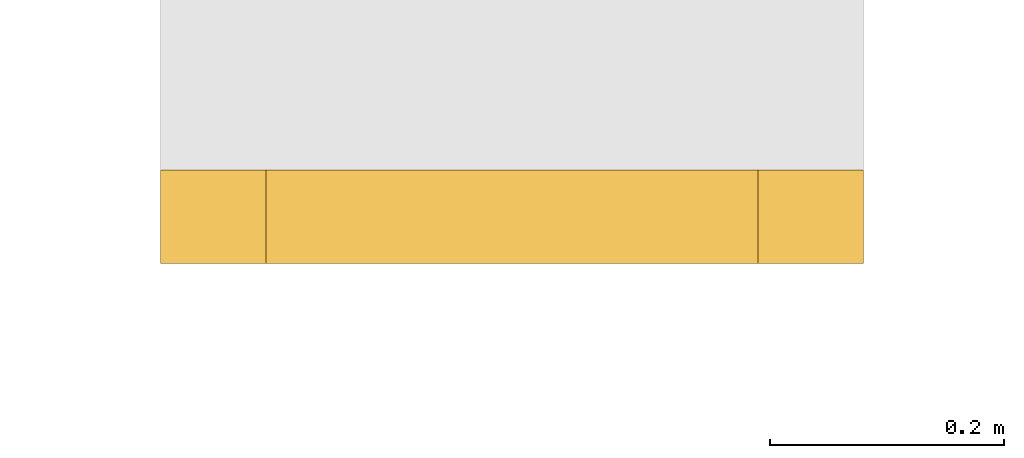
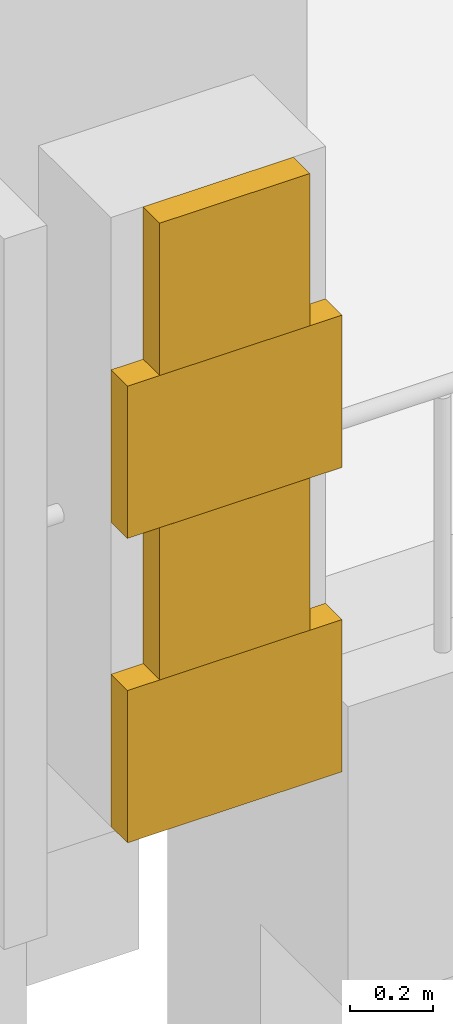
# One storey, part 63 of 67: 4 coverings.
"""IFC4 building model written with IfcOpenShell, lengths in metres."""

from ifc_helpers import new_model, si_unit, direction, frame, origin, place, context, subcontext, project, spatial, polyline, outline, extrude, material, layer, layer_set, type_object, element, save


model = new_model("IFC4")

# Units and contexts
model_context = context("Model", 3, precision=1e-05, world=origin(), true_north=direction((0.0, 1.0)))
body_context = subcontext(model_context, "Body", "Model", "MODEL_VIEW")
ifc_project = project(units=[si_unit("LENGTHUNIT", "METRE"), si_unit("AREAUNIT", "SQUARE_METRE"), si_unit("VOLUMEUNIT", "CUBIC_METRE"), si_unit("PLANEANGLEUNIT", "RADIAN"), si_unit("MASSUNIT", "GRAM", prefix="KILO")], contexts=[model_context])

# Site, building, storey
site_placement = place(None, origin())
site = spatial("IfcSite", under=ifc_project, at=site_placement, CompositionType="ELEMENT")
building_placement = place(site_placement, origin())
building = spatial("IfcBuilding", under=site, at=building_placement, Name="Cour d'Honneur Mobility Palace", CompositionType="ELEMENT")
storey_placement = place(building_placement, frame((0.0, 0.0, 4.5)))
storey = spatial("IfcBuildingStorey", under=building, at=storey_placement, Name="L01", CompositionType="ELEMENT", Elevation=4.5)

# Coverings
ifc_material = material(Name="Cast limestone", Category="masonry")
ifc_layer = layer(ifc_material, 0.080078125)
ifc_layer_set = layer_set([ifc_layer], Name="Cast limestone")
covering_type = type_object("IfcCoveringType", Name="Quoin block", PredefinedType="CLADDING", material=ifc_layer_set)
covering_1_placement = place(storey_placement, frame((0.0, 0.0, 0.300048828125)))
element("IfcCovering", 1, at=covering_1_placement, inside=storey, type_object=covering_type, Name="Quoin block QN-1", PredefinedType="CLADDING", context=body_context, shape_type="SweptSolid", body=[
    extrude(outline(polyline([(8.39990234375, -0.800048828125), (9.0, -0.800048828125), (9.0, -0.8798828125), (8.39990234375, -0.8798828125), (8.39990234375, -0.800048828125)])), origin(), (0.0, 0.0, 1.0), 0.449951171875),
])
covering_2_placement = place(storey_placement, frame((0.0, 0.0, 0.75)))
element("IfcCovering", 2, at=covering_2_placement, inside=storey, type_object=covering_type, Name="Quoin block QN-2", PredefinedType="CLADDING", context=body_context, shape_type="SweptSolid", body=[
    extrude(outline(polyline([(8.489990234375, -0.800048828125), (8.909912109375, -0.800048828125), (8.909912109375, -0.8798828125), (8.489990234375, -0.8798828125), (8.489990234375, -0.800048828125)])), origin(), (0.0, 0.0, 1.0), 0.449951171875),
])
covering_3_placement = place(storey_placement, frame((0.0, 0.0, 1.199951171875)))
element("IfcCovering", 3, at=covering_3_placement, inside=storey, type_object=covering_type, Name="Quoin block QN-3", PredefinedType="CLADDING", context=body_context, shape_type="SweptSolid", body=[
    extrude(outline(polyline([(8.39990234375, -0.800048828125), (9.0, -0.800048828125), (9.0, -0.8798828125), (8.39990234375, -0.8798828125), (8.39990234375, -0.800048828125)])), origin(), (0.0, 0.0, 1.0), 0.449951171875),
])
covering_4_placement = place(storey_placement, frame((0.0, 0.0, 1.64990234375)))
element("IfcCovering", 4, at=covering_4_placement, inside=storey, type_object=covering_type, Name="Quoin block QN-4", PredefinedType="CLADDING", context=body_context, shape_type="SweptSolid", body=[
    extrude(outline(polyline([(8.489990234375, -0.800048828125), (8.909912109375, -0.800048828125), (8.909912109375, -0.8798828125), (8.489990234375, -0.8798828125), (8.489990234375, -0.800048828125)])), origin(), (0.0, 0.0, 1.0), 0.4501953125),
])

save(model, "model.ifc")
